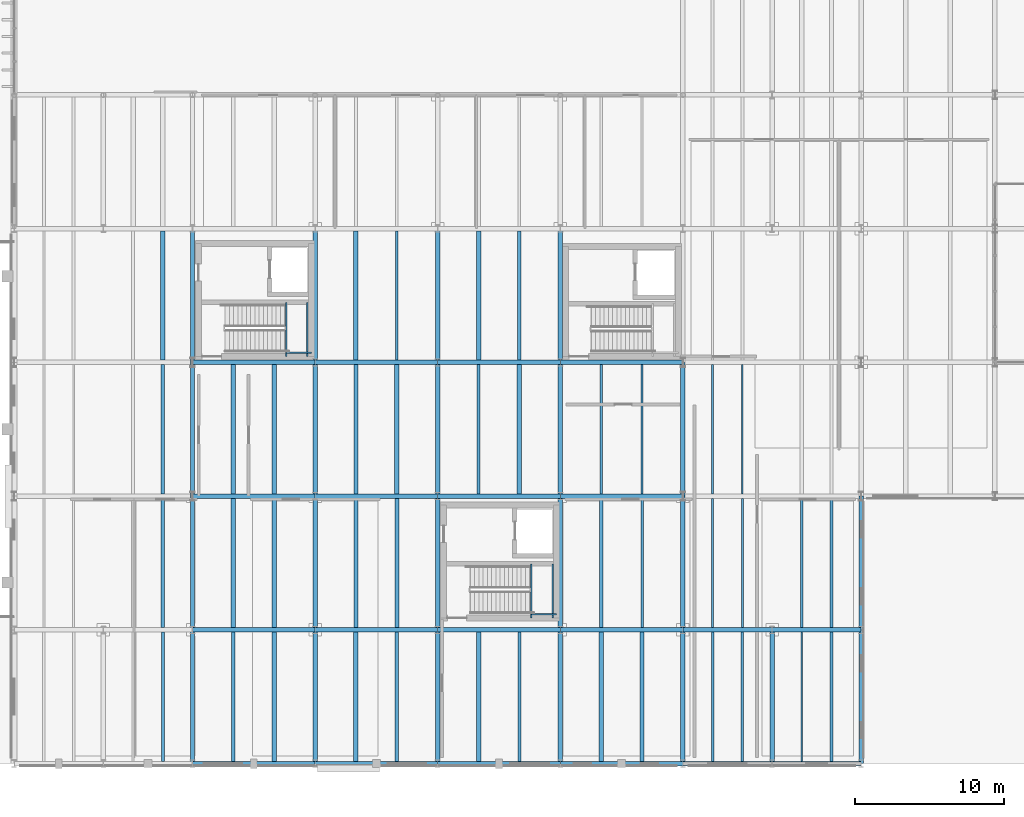
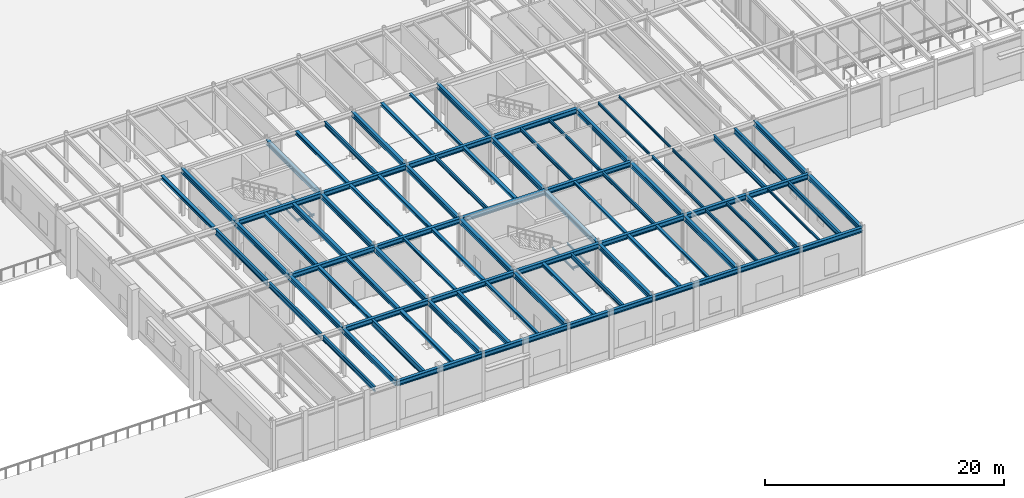
# One storey, part 19 of 64: 88 beams.
"""IFC4 building model written with IfcOpenShell, lengths in metres."""

from ifc_helpers import new_model, si_unit, direction, frame, origin, origin_2d, place, context, subcontext, project, spatial, i_section, extrude, material, material_profile, profile_set, type_object, element, save


model = new_model("IFC4")

# Units and contexts
model_context = context("Model", 3, precision=1e-05, world=origin(), true_north=direction((0.0, 1.0)))
body_context = subcontext(model_context, "Body", "Model", "MODEL_VIEW")
ifc_project = project(units=[si_unit("LENGTHUNIT", "METRE"), si_unit("AREAUNIT", "SQUARE_METRE"), si_unit("VOLUMEUNIT", "CUBIC_METRE"), si_unit("PLANEANGLEUNIT", "RADIAN"), si_unit("MASSUNIT", "GRAM", prefix="KILO")], contexts=[model_context])

# Site, building, storey
site_placement = place(None, origin())
site = spatial("IfcSite", under=ifc_project, at=site_placement, CompositionType="ELEMENT")
building_placement = place(site_placement, origin())
building = spatial("IfcBuilding", under=site, at=building_placement, Name="Montealbar Specialist Clinic", CompositionType="ELEMENT")
storey_placement = place(building_placement, origin())
storey = spatial("IfcBuildingStorey", under=building, at=storey_placement, Name="L00", CompositionType="ELEMENT", Elevation=0.0)

# Beams
ifc_material = material(Name="Steel S355", Category="steel")
ifc_material_profile_1 = material_profile(ifc_material, i_section(OverallWidth=0.300048828125, OverallDepth=0.5, WebThickness=0.014404296875, FlangeThickness=0.028076171875, FilletRadius=0.027099609375, at=origin_2d()), Name="HEB 500", Category="steel")
ifc_profile_set_1 = profile_set([ifc_material_profile_1], Name="Steel S355")
beam_type_1 = type_object("IfcBeamType", Name="BM-GIRD-HEB500", PredefinedType="BEAM", material=ifc_profile_set_1)
for number, where, z_axis, x_axis, name in (
    (1, (66.0, 9.0, 4.56005859375), (1.0, 0.0, 0.0), (0.0, 1.0, 0.0), "Beam GX-L00-660-742-90"),
    (2, (74.25, 9.0, 4.56005859375), (1.0, 0.0, 0.0), (0.0, 1.0, 0.0), "Beam GX-L00-742-825-90"),
    (3, (82.5, 9.0, 4.56005859375), (1.0, 0.0, 0.0), (0.0, 1.0, 0.0), "Beam GX-L00-825-908-90"),
    (4, (90.75, 9.0, 4.56005859375), (1.0, 0.0, 0.0), (0.0, 1.0, 0.0), "Beam GX-L00-908-990-90"),
):
    element("IfcBeam", number, at=place(storey_placement, frame(where, z_axis=z_axis, x_axis=x_axis)), inside=storey, type_object=beam_type_1, Name=name, PredefinedType="BEAM", context=body_context, shape_type="SweptSolid", body=[
        extrude(i_section(OverallWidth=0.300048828125, OverallDepth=0.5, WebThickness=0.014404296875, FlangeThickness=0.028076171875, FilletRadius=0.027099609375, at=origin_2d()), origin(), (0.0, 0.0, 1.0), 8.25),
    ])
for number, where, z_axis, x_axis, name in (
    (5, (99.0, 9.0, 4.56005859375), (1.0, 0.0, 0.0), (0.0, 1.0, 0.0), "Beam GX-L00-990-1050-90"),
    (6, (105.0, 9.0, 4.56005859375), (1.0, 0.0, 0.0), (0.0, 1.0, 0.0), "Beam GX-L00-1050-1110-90"),
):
    element("IfcBeam", number, at=place(storey_placement, frame(where, z_axis=z_axis, x_axis=x_axis)), inside=storey, type_object=beam_type_1, Name=name, PredefinedType="BEAM", context=body_context, shape_type="SweptSolid", body=[
        extrude(i_section(OverallWidth=0.300048828125, OverallDepth=0.5, WebThickness=0.014404296875, FlangeThickness=0.028076171875, FilletRadius=0.027099609375, at=origin_2d()), origin(), (0.0, 0.0, 1.0), 6.0),
    ])
for number, where, z_axis, x_axis, name in (
    (7, (66.0, 18.0, 4.56005859375), (1.0, 0.0, 0.0), (0.0, 1.0, 0.0), "Beam GX-L00-660-742-180"),
    (8, (74.25, 18.0, 4.56005859375), (1.0, 0.0, 0.0), (0.0, 1.0, 0.0), "Beam GX-L00-742-825-180"),
    (9, (82.5, 18.0, 4.56005859375), (1.0, 0.0, 0.0), (0.0, 1.0, 0.0), "Beam GX-L00-825-908-180"),
    (10, (90.75, 18.0, 4.56005859375), (1.0, 0.0, 0.0), (0.0, 1.0, 0.0), "Beam GX-L00-908-990-180"),
    (11, (66.0, 27.0, 4.56005859375), (1.0, 0.0, 0.0), (0.0, 1.0, 0.0), "Beam GX-L00-660-742-270"),
    (12, (74.25, 27.0, 4.56005859375), (1.0, 0.0, 0.0), (0.0, 1.0, 0.0), "Beam GX-L00-742-825-270"),
    (13, (82.5, 27.0, 4.56005859375), (1.0, 0.0, 0.0), (0.0, 1.0, 0.0), "Beam GX-L00-825-908-270"),
    (14, (90.75, 27.0, 4.56005859375), (1.0, 0.0, 0.0), (0.0, 1.0, 0.0), "Beam GX-L00-908-990-270"),
):
    element("IfcBeam", number, at=place(storey_placement, frame(where, z_axis=z_axis, x_axis=x_axis)), inside=storey, type_object=beam_type_1, Name=name, PredefinedType="BEAM", context=body_context, shape_type="SweptSolid", body=[
        extrude(i_section(OverallWidth=0.300048828125, OverallDepth=0.5, WebThickness=0.014404296875, FlangeThickness=0.028076171875, FilletRadius=0.027099609375, at=origin_2d()), origin(), (0.0, 0.0, 1.0), 8.25),
    ])
for number, where, z_axis, x_axis, name in (
    (15, (66.0, 0.0, 4.56005859375), (0.0, 1.0, 0.0), (-1.0, 0.0, 0.0), "Beam GY-L00-660-0-90"),
    (16, (66.0, 9.0, 4.56005859375), (0.0, 1.0, 0.0), (-1.0, 0.0, 0.0), "Beam GY-L00-660-90-180"),
    (17, (66.0, 18.0, 4.56005859375), (0.0, 1.0, 0.0), (-1.0, 0.0, 0.0), "Beam GY-L00-660-180-270"),
    (18, (66.0, 27.0, 4.56005859375), (0.0, 1.0, 0.0), (-1.0, 0.0, 0.0), "Beam GY-L00-660-270-360"),
    (19, (74.25, 0.0, 4.56005859375), (0.0, 1.0, 0.0), (-1.0, 0.0, 0.0), "Beam GY-L00-742-0-90"),
    (20, (74.25, 9.0, 4.56005859375), (0.0, 1.0, 0.0), (-1.0, 0.0, 0.0), "Beam GY-L00-742-90-180"),
    (21, (74.25, 18.0, 4.56005859375), (0.0, 1.0, 0.0), (-1.0, 0.0, 0.0), "Beam GY-L00-742-180-270"),
    (22, (74.25, 27.0, 4.56005859375), (0.0, 1.0, 0.0), (-1.0, 0.0, 0.0), "Beam GY-L00-742-270-360"),
    (23, (82.5, 0.0, 4.56005859375), (0.0, 1.0, 0.0), (-1.0, 0.0, 0.0), "Beam GY-L00-825-0-90"),
    (24, (82.5, 9.0, 4.56005859375), (0.0, 1.0, 0.0), (-1.0, 0.0, 0.0), "Beam GY-L00-825-90-180"),
    (25, (82.5, 18.0, 4.56005859375), (0.0, 1.0, 0.0), (-1.0, 0.0, 0.0), "Beam GY-L00-825-180-270"),
    (26, (82.5, 27.0, 4.56005859375), (0.0, 1.0, 0.0), (-1.0, 0.0, 0.0), "Beam GY-L00-825-270-360"),
    (27, (90.75, 0.0, 4.56005859375), (0.0, 1.0, 0.0), (-1.0, 0.0, 0.0), "Beam GY-L00-908-0-90"),
    (28, (90.75, 9.0, 4.56005859375), (0.0, 1.0, 0.0), (-1.0, 0.0, 0.0), "Beam GY-L00-908-90-180"),
    (29, (90.75, 18.0, 4.56005859375), (0.0, 1.0, 0.0), (-1.0, 0.0, 0.0), "Beam GY-L00-908-180-270"),
    (30, (90.75, 27.0, 4.56005859375), (0.0, 1.0, 0.0), (-1.0, 0.0, 0.0), "Beam GY-L00-908-270-360"),
    (31, (99.0, 0.0, 4.56005859375), (0.0, 1.0, 0.0), (-1.0, 0.0, 0.0), "Beam GY-L00-990-0-90"),
    (32, (99.0, 9.0, 4.56005859375), (0.0, 1.0, 0.0), (-1.0, 0.0, 0.0), "Beam GY-L00-990-90-180"),
    (33, (99.0, 18.0, 4.56005859375), (0.0, 1.0, 0.0), (-1.0, 0.0, 0.0), "Beam GY-L00-990-180-270"),
    (34, (105.0, 0.0, 4.56005859375), (0.0, 1.0, 0.0), (-1.0, 0.0, 0.0), "Beam GY-L00-1050-0-90"),
):
    element("IfcBeam", number, at=place(storey_placement, frame(where, z_axis=z_axis, x_axis=x_axis)), inside=storey, type_object=beam_type_1, Name=name, PredefinedType="BEAM", context=body_context, shape_type="SweptSolid", body=[
        extrude(i_section(OverallWidth=0.300048828125, OverallDepth=0.5, WebThickness=0.014404296875, FlangeThickness=0.028076171875, FilletRadius=0.027099609375, at=origin_2d()), origin(), (0.0, 0.0, 1.0), 9.0),
    ])
ifc_material_profile_2 = material_profile(ifc_material, i_section(OverallWidth=0.300048828125, OverallDepth=0.5, WebThickness=0.014404296875, FlangeThickness=0.028076171875, FilletRadius=0.027099609375, at=origin_2d()), Name="HEB 500", Category="steel")
ifc_profile_set_2 = profile_set([ifc_material_profile_2], Name="Steel S355")
beam_type_2 = type_object("IfcBeamType", Name="BM-GIRD-HEB500-EXT", PredefinedType="BEAM", material=ifc_profile_set_2)
for number, where, z_axis, x_axis, name in (
    (35, (66.0, 0.0, 4.56005859375), (1.0, 0.0, 0.0), (0.0, 1.0, 0.0), "Beam GX-L00-660-742-0"),
    (36, (74.25, 0.0, 4.56005859375), (1.0, 0.0, 0.0), (0.0, 1.0, 0.0), "Beam GX-L00-742-825-0"),
    (37, (82.5, 0.0, 4.56005859375), (1.0, 0.0, 0.0), (0.0, 1.0, 0.0), "Beam GX-L00-825-908-0"),
    (38, (90.75, 0.0, 4.56005859375), (1.0, 0.0, 0.0), (0.0, 1.0, 0.0), "Beam GX-L00-908-990-0"),
):
    element("IfcBeam", number, at=place(storey_placement, frame(where, z_axis=z_axis, x_axis=x_axis)), inside=storey, type_object=beam_type_2, Name=name, PredefinedType="BEAM", context=body_context, shape_type="SweptSolid", body=[
        extrude(i_section(OverallWidth=0.300048828125, OverallDepth=0.5, WebThickness=0.014404296875, FlangeThickness=0.028076171875, FilletRadius=0.027099609375, at=origin_2d()), origin(), (0.0, 0.0, 1.0), 8.25),
    ])
for number, where, z_axis, x_axis, name in (
    (39, (99.0, 0.0, 4.56005859375), (1.0, 0.0, 0.0), (0.0, 1.0, 0.0), "Beam GX-L00-990-1050-0"),
    (40, (105.0, 0.0, 4.56005859375), (1.0, 0.0, 0.0), (0.0, 1.0, 0.0), "Beam GX-L00-1050-1110-0"),
):
    element("IfcBeam", number, at=place(storey_placement, frame(where, z_axis=z_axis, x_axis=x_axis)), inside=storey, type_object=beam_type_2, Name=name, PredefinedType="BEAM", context=body_context, shape_type="SweptSolid", body=[
        extrude(i_section(OverallWidth=0.300048828125, OverallDepth=0.5, WebThickness=0.014404296875, FlangeThickness=0.028076171875, FilletRadius=0.027099609375, at=origin_2d()), origin(), (0.0, 0.0, 1.0), 6.0),
    ])
for number, where, z_axis, x_axis, name in (
    (41, (111.0, 0.0, 4.56005859375), (0.0, 1.0, 0.0), (-1.0, 0.0, 0.0), "Beam GY-L00-1110-0-90"),
    (42, (111.0, 9.0, 4.56005859375), (0.0, 1.0, 0.0), (-1.0, 0.0, 0.0), "Beam GY-L00-1110-90-180"),
):
    element("IfcBeam", number, at=place(storey_placement, frame(where, z_axis=z_axis, x_axis=x_axis)), inside=storey, type_object=beam_type_2, Name=name, PredefinedType="BEAM", context=body_context, shape_type="SweptSolid", body=[
        extrude(i_section(OverallWidth=0.300048828125, OverallDepth=0.5, WebThickness=0.014404296875, FlangeThickness=0.028076171875, FilletRadius=0.027099609375, at=origin_2d()), origin(), (0.0, 0.0, 1.0), 9.0),
    ])
ifc_material_profile_3 = material_profile(ifc_material, i_section(OverallWidth=0.300048828125, OverallDepth=0.35009765625, WebThickness=0.010009765625, FlangeThickness=0.017578125, FilletRadius=0.027099609375, at=origin_2d()), Name="HEA 360", Category="steel")
ifc_profile_set_3 = profile_set([ifc_material_profile_3], Name="Steel S355")
beam_type_3 = type_object("IfcBeamType", Name="BM-JST-HEA360", PredefinedType="JOIST", material=ifc_profile_set_3)
for number, where, z_axis, x_axis, name in (
    (43, (64.0, 27.14990234375, 4.635009765625), (0.0, 1.0, 0.0), (-1.0, 0.0, 0.0), "Beam JST-L00-640-272-358"),
    (44, (71.5, 0.14990234375, 4.635009765625), (0.0, 1.0, 0.0), (-1.0, 0.0, 0.0), "Beam JST-L00-715-2-88"),
    (45, (68.75, 9.14990234375, 4.635009765625), (0.0, 1.0, 0.0), (-1.0, 0.0, 0.0), "Beam JST-L00-688-92-178"),
):
    element("IfcBeam", number, at=place(storey_placement, frame(where, z_axis=z_axis, x_axis=x_axis)), inside=storey, type_object=beam_type_3, Name=name, PredefinedType="JOIST", context=body_context, shape_type="SweptSolid", body=[
        extrude(i_section(OverallWidth=0.300048828125, OverallDepth=0.35009765625, WebThickness=0.010009765625, FlangeThickness=0.017578125, FilletRadius=0.027099609375, at=origin_2d()), origin(), (0.0, 0.0, 1.0), 8.7001953125),
    ])
ifc_material_profile_4 = material_profile(ifc_material, i_section(OverallWidth=0.300048828125, OverallDepth=0.43994140625, WebThickness=0.011474609375, FlangeThickness=0.02099609375, FilletRadius=0.027099609375, at=origin_2d()), Name="HEA 450", Category="steel")
ifc_profile_set_4 = profile_set([ifc_material_profile_4], Name="Steel S355")
beam_type_4 = type_object("IfcBeamType", Name="BM-JST-HEA450", PredefinedType="JOIST", material=ifc_profile_set_4)
for number, where, z_axis, x_axis, name in (
    (46, (71.5, 9.14990234375, 4.590087890625), (0.0, 1.0, 0.0), (-1.0, 0.0, 0.0), "Beam JST-L00-715-92-178"),
    (47, (68.75, 18.14990234375, 4.590087890625), (0.0, 1.0, 0.0), (-1.0, 0.0, 0.0), "Beam JST-L00-688-182-268"),
):
    element("IfcBeam", number, at=place(storey_placement, frame(where, z_axis=z_axis, x_axis=x_axis)), inside=storey, type_object=beam_type_4, Name=name, PredefinedType="JOIST", context=body_context, shape_type="SweptSolid", body=[
        extrude(i_section(OverallWidth=0.300048828125, OverallDepth=0.43994140625, WebThickness=0.011474609375, FlangeThickness=0.02099609375, FilletRadius=0.027099609375, at=origin_2d()), origin(), (0.0, 0.0, 1.0), 8.7001953125),
    ])
ifc_material_profile_5 = material_profile(ifc_material, i_section(OverallWidth=0.300048828125, OverallDepth=0.489990234375, WebThickness=0.011962890625, FlangeThickness=0.02294921875, FilletRadius=0.027099609375, at=origin_2d()), Name="HEA 500", Category="steel")
ifc_profile_set_5 = profile_set([ifc_material_profile_5], Name="Steel S355")
beam_type_5 = type_object("IfcBeamType", Name="BM-JST-HEA500", PredefinedType="JOIST", material=ifc_profile_set_5)
for number, where, z_axis, x_axis, name in (
    (48, (71.5, 18.14990234375, 4.56494140625), (0.0, 1.0, 0.0), (-1.0, 0.0, 0.0), "Beam JST-L00-715-182-268"),
    (49, (77.0, 0.14990234375, 4.56494140625), (0.0, 1.0, 0.0), (-1.0, 0.0, 0.0), "Beam JST-L00-770-2-88"),
):
    element("IfcBeam", number, at=place(storey_placement, frame(where, z_axis=z_axis, x_axis=x_axis)), inside=storey, type_object=beam_type_5, Name=name, PredefinedType="JOIST", context=body_context, shape_type="SweptSolid", body=[
        extrude(i_section(OverallWidth=0.300048828125, OverallDepth=0.489990234375, WebThickness=0.011962890625, FlangeThickness=0.02294921875, FilletRadius=0.027099609375, at=origin_2d()), origin(), (0.0, 0.0, 1.0), 8.7001953125),
    ])
ifc_material_profile_6 = material_profile(ifc_material, i_section(OverallWidth=0.239990234375, OverallDepth=0.239990234375, WebThickness=0.010009765625, FlangeThickness=0.01708984375, FilletRadius=0.02099609375, at=origin_2d()), Name="HEB 240", Category="steel")
ifc_profile_set_6 = profile_set([ifc_material_profile_6], Name="Steel S355")
beam_type_6 = type_object("IfcBeamType", Name="BM-JST-HEB240", PredefinedType="JOIST", material=ifc_profile_set_6)
for number, where, z_axis, x_axis, name in (
    (50, (79.75, 0.14990234375, 4.68994140625), (0.0, 1.0, 0.0), (-1.0, 0.0, 0.0), "Beam JST-L00-798-2-88"),
    (51, (77.0, 9.14990234375, 4.68994140625), (0.0, 1.0, 0.0), (-1.0, 0.0, 0.0), "Beam JST-L00-770-92-178"),
):
    element("IfcBeam", number, at=place(storey_placement, frame(where, z_axis=z_axis, x_axis=x_axis)), inside=storey, type_object=beam_type_6, Name=name, PredefinedType="JOIST", context=body_context, shape_type="SweptSolid", body=[
        extrude(i_section(OverallWidth=0.239990234375, OverallDepth=0.239990234375, WebThickness=0.010009765625, FlangeThickness=0.01708984375, FilletRadius=0.02099609375, at=origin_2d()), origin(), (0.0, 0.0, 1.0), 8.7001953125),
    ])
ifc_material_profile_7 = material_profile(ifc_material, i_section(OverallWidth=0.280029296875, OverallDepth=0.280029296875, WebThickness=0.010498046875, FlangeThickness=0.01806640625, FilletRadius=0.02392578125, at=origin_2d()), Name="HEB 280", Category="steel")
ifc_profile_set_7 = profile_set([ifc_material_profile_7], Name="Steel S355")
beam_type_7 = type_object("IfcBeamType", Name="BM-JST-HEB280", PredefinedType="JOIST", material=ifc_profile_set_7)
for number, where, z_axis, x_axis, name in (
    (52, (79.75, 9.14990234375, 4.669921875), (0.0, 1.0, 0.0), (-1.0, 0.0, 0.0), "Beam JST-L00-798-92-178"),
    (53, (77.0, 18.14990234375, 4.669921875), (0.0, 1.0, 0.0), (-1.0, 0.0, 0.0), "Beam JST-L00-770-182-268"),
):
    element("IfcBeam", number, at=place(storey_placement, frame(where, z_axis=z_axis, x_axis=x_axis)), inside=storey, type_object=beam_type_7, Name=name, PredefinedType="JOIST", context=body_context, shape_type="SweptSolid", body=[
        extrude(i_section(OverallWidth=0.280029296875, OverallDepth=0.280029296875, WebThickness=0.010498046875, FlangeThickness=0.01806640625, FilletRadius=0.02392578125, at=origin_2d()), origin(), (0.0, 0.0, 1.0), 8.7001953125),
    ])
ifc_material_profile_8 = material_profile(ifc_material, i_section(OverallWidth=0.300048828125, OverallDepth=0.320068359375, WebThickness=0.011474609375, FlangeThickness=0.0205078125, FilletRadius=0.027099609375, at=origin_2d()), Name="HEB 320", Category="steel")
ifc_profile_set_8 = profile_set([ifc_material_profile_8], Name="Steel S355")
beam_type_8 = type_object("IfcBeamType", Name="BM-JST-HEB320", PredefinedType="JOIST", material=ifc_profile_set_8)
for number, where, z_axis, x_axis, name in (
    (54, (79.75, 18.14990234375, 4.64990234375), (0.0, 1.0, 0.0), (-1.0, 0.0, 0.0), "Beam JST-L00-798-182-268"),
    (55, (77.0, 27.14990234375, 4.64990234375), (0.0, 1.0, 0.0), (-1.0, 0.0, 0.0), "Beam JST-L00-770-272-358"),
    (56, (85.25, 0.14990234375, 4.64990234375), (0.0, 1.0, 0.0), (-1.0, 0.0, 0.0), "Beam JST-L00-852-2-88"),
):
    element("IfcBeam", number, at=place(storey_placement, frame(where, z_axis=z_axis, x_axis=x_axis)), inside=storey, type_object=beam_type_8, Name=name, PredefinedType="JOIST", context=body_context, shape_type="SweptSolid", body=[
        extrude(i_section(OverallWidth=0.300048828125, OverallDepth=0.320068359375, WebThickness=0.011474609375, FlangeThickness=0.0205078125, FilletRadius=0.027099609375, at=origin_2d()), origin(), (0.0, 0.0, 1.0), 8.7001953125),
    ])
ifc_material_profile_9 = material_profile(ifc_material, i_section(OverallWidth=0.1201171875, OverallDepth=0.239990234375, WebThickness=0.006103515625, FlangeThickness=0.009765625, FilletRadius=0.014892578125, at=origin_2d()), Name="IPE 240", Category="steel")
ifc_profile_set_9 = profile_set([ifc_material_profile_9], Name="Steel S355")
beam_type_9 = type_object("IfcBeamType", Name="BM-JST-IPE240", PredefinedType="JOIST", material=ifc_profile_set_9)
for number, where, z_axis, x_axis, name in (
    (57, (103.0, 18.14990234375, 4.68994140625), (0.0, 1.0, 0.0), (-1.0, 0.0, 0.0), "Beam JST-L00-1030-182-268"),
    (58, (107.0, 0.14990234375, 4.68994140625), (0.0, 1.0, 0.0), (-1.0, 0.0, 0.0), "Beam JST-L00-1070-2-88"),
):
    element("IfcBeam", number, at=place(storey_placement, frame(where, z_axis=z_axis, x_axis=x_axis)), inside=storey, type_object=beam_type_9, Name=name, PredefinedType="JOIST", context=body_context, shape_type="SweptSolid", body=[
        extrude(i_section(OverallWidth=0.1201171875, OverallDepth=0.239990234375, WebThickness=0.006103515625, FlangeThickness=0.009765625, FilletRadius=0.014892578125, at=origin_2d()), origin(), (0.0, 0.0, 1.0), 8.7001953125),
    ])
ifc_material_profile_10 = material_profile(ifc_material, i_section(OverallWidth=0.135009765625, OverallDepth=0.27001953125, WebThickness=0.006591796875, FlangeThickness=0.01025390625, FilletRadius=0.014892578125, at=origin_2d()), Name="IPE 270", Category="steel")
ifc_profile_set_10 = profile_set([ifc_material_profile_10], Name="Steel S355")
beam_type_10 = type_object("IfcBeamType", Name="BM-JST-IPE270", PredefinedType="JOIST", material=ifc_profile_set_10)
for number, where, z_axis, x_axis, name in (
    (59, (103.0, 9.14990234375, 4.675048828125), (0.0, 1.0, 0.0), (-1.0, 0.0, 0.0), "Beam JST-L00-1030-92-178"),
    (60, (101.0, 18.14990234375, 4.675048828125), (0.0, 1.0, 0.0), (-1.0, 0.0, 0.0), "Beam JST-L00-1010-182-268"),
):
    element("IfcBeam", number, at=place(storey_placement, frame(where, z_axis=z_axis, x_axis=x_axis)), inside=storey, type_object=beam_type_10, Name=name, PredefinedType="JOIST", context=body_context, shape_type="SweptSolid", body=[
        extrude(i_section(OverallWidth=0.135009765625, OverallDepth=0.27001953125, WebThickness=0.006591796875, FlangeThickness=0.01025390625, FilletRadius=0.014892578125, at=origin_2d()), origin(), (0.0, 0.0, 1.0), 8.7001953125),
    ])
ifc_material_profile_11 = material_profile(ifc_material, i_section(OverallWidth=0.14990234375, OverallDepth=0.300048828125, WebThickness=0.007080078125, FlangeThickness=0.0107421875, FilletRadius=0.014892578125, at=origin_2d()), Name="IPE 300", Category="steel")
ifc_profile_set_11 = profile_set([ifc_material_profile_11], Name="Steel S355")
beam_type_11 = type_object("IfcBeamType", Name="BM-JST-IPE300", PredefinedType="JOIST", material=ifc_profile_set_11)
for number, where, z_axis, x_axis, name in (
    (61, (103.0, 0.14990234375, 4.659912109375), (0.0, 1.0, 0.0), (-1.0, 0.0, 0.0), "Beam JST-L00-1030-2-88"),
    (62, (101.0, 9.14990234375, 4.659912109375), (0.0, 1.0, 0.0), (-1.0, 0.0, 0.0), "Beam JST-L00-1010-92-178"),
):
    element("IfcBeam", number, at=place(storey_placement, frame(where, z_axis=z_axis, x_axis=x_axis)), inside=storey, type_object=beam_type_11, Name=name, PredefinedType="JOIST", context=body_context, shape_type="SweptSolid", body=[
        extrude(i_section(OverallWidth=0.14990234375, OverallDepth=0.300048828125, WebThickness=0.007080078125, FlangeThickness=0.0107421875, FilletRadius=0.014892578125, at=origin_2d()), origin(), (0.0, 0.0, 1.0), 8.7001953125),
    ])
ifc_material_profile_12 = material_profile(ifc_material, i_section(OverallWidth=0.159912109375, OverallDepth=0.330078125, WebThickness=0.007568359375, FlangeThickness=0.011474609375, FilletRadius=0.01806640625, at=origin_2d()), Name="IPE 330", Category="steel")
ifc_profile_set_12 = profile_set([ifc_material_profile_12], Name="Steel S355")
beam_type_12 = type_object("IfcBeamType", Name="BM-JST-IPE330", PredefinedType="JOIST", material=ifc_profile_set_12)
for number, where, z_axis, x_axis, name in (
    (63, (96.25, 18.14990234375, 4.64501953125), (0.0, 1.0, 0.0), (-1.0, 0.0, 0.0), "Beam JST-L00-962-182-268"),
    (64, (101.0, 0.14990234375, 4.64501953125), (0.0, 1.0, 0.0), (-1.0, 0.0, 0.0), "Beam JST-L00-1010-2-88"),
):
    element("IfcBeam", number, at=place(storey_placement, frame(where, z_axis=z_axis, x_axis=x_axis)), inside=storey, type_object=beam_type_12, Name=name, PredefinedType="JOIST", context=body_context, shape_type="SweptSolid", body=[
        extrude(i_section(OverallWidth=0.159912109375, OverallDepth=0.330078125, WebThickness=0.007568359375, FlangeThickness=0.011474609375, FilletRadius=0.01806640625, at=origin_2d()), origin(), (0.0, 0.0, 1.0), 8.7001953125),
    ])
ifc_material_profile_13 = material_profile(ifc_material, i_section(OverallWidth=0.169921875, OverallDepth=0.360107421875, WebThickness=0.008056640625, FlangeThickness=0.0126953125, FilletRadius=0.01806640625, at=origin_2d()), Name="IPE 360", Category="steel")
ifc_profile_set_13 = profile_set([ifc_material_profile_13], Name="Steel S355")
beam_type_13 = type_object("IfcBeamType", Name="BM-JST-IPE360", PredefinedType="JOIST", material=ifc_profile_set_13)
for number, where, z_axis, x_axis, name in (
    (65, (96.25, 9.14990234375, 4.6298828125), (0.0, 1.0, 0.0), (-1.0, 0.0, 0.0), "Beam JST-L00-962-92-178"),
    (66, (93.5, 18.14990234375, 4.6298828125), (0.0, 1.0, 0.0), (-1.0, 0.0, 0.0), "Beam JST-L00-935-182-268"),
):
    element("IfcBeam", number, at=place(storey_placement, frame(where, z_axis=z_axis, x_axis=x_axis)), inside=storey, type_object=beam_type_13, Name=name, PredefinedType="JOIST", context=body_context, shape_type="SweptSolid", body=[
        extrude(i_section(OverallWidth=0.169921875, OverallDepth=0.360107421875, WebThickness=0.008056640625, FlangeThickness=0.0126953125, FilletRadius=0.01806640625, at=origin_2d()), origin(), (0.0, 0.0, 1.0), 8.7001953125),
    ])
ifc_material_profile_14 = material_profile(ifc_material, i_section(OverallWidth=0.199951171875, OverallDepth=0.5, WebThickness=0.01025390625, FlangeThickness=0.01611328125, FilletRadius=0.02099609375, at=origin_2d()), Name="IPE 500", Category="steel")
ifc_profile_set_14 = profile_set([ifc_material_profile_14], Name="Steel S355")
beam_type_14 = type_object("IfcBeamType", Name="BM-JST-IPE500", PredefinedType="JOIST", material=ifc_profile_set_14)
for number, where, z_axis, x_axis, name in (
    (67, (64.0, 0.14990234375, 4.56005859375), (0.0, 1.0, 0.0), (-1.0, 0.0, 0.0), "Beam JST-L00-640-2-88"),
    (68, (109.0, 0.14990234375, 4.56005859375), (0.0, 1.0, 0.0), (-1.0, 0.0, 0.0), "Beam JST-L00-1090-2-88"),
    (69, (107.0, 9.14990234375, 4.56005859375), (0.0, 1.0, 0.0), (-1.0, 0.0, 0.0), "Beam JST-L00-1070-92-178"),
):
    element("IfcBeam", number, at=place(storey_placement, frame(where, z_axis=z_axis, x_axis=x_axis)), inside=storey, type_object=beam_type_14, Name=name, PredefinedType="JOIST", context=body_context, shape_type="SweptSolid", body=[
        extrude(i_section(OverallWidth=0.199951171875, OverallDepth=0.5, WebThickness=0.01025390625, FlangeThickness=0.01611328125, FilletRadius=0.02099609375, at=origin_2d()), origin(), (0.0, 0.0, 1.0), 8.7001953125),
    ])
ifc_material_profile_15 = material_profile(ifc_material, i_section(OverallWidth=0.2099609375, OverallDepth=0.550048828125, WebThickness=0.010986328125, FlangeThickness=0.01708984375, FilletRadius=0.02392578125, at=origin_2d()), Name="IPE 550", Category="steel")
ifc_profile_set_15 = profile_set([ifc_material_profile_15], Name="Steel S355")
beam_type_15 = type_object("IfcBeamType", Name="BM-JST-IPE550", PredefinedType="JOIST", material=ifc_profile_set_15)
for number, where, z_axis, x_axis, name in (
    (70, (64.0, 9.14990234375, 4.534912109375), (0.0, 1.0, 0.0), (-1.0, 0.0, 0.0), "Beam JST-L00-640-92-178"),
    (71, (109.0, 9.14990234375, 4.534912109375), (0.0, 1.0, 0.0), (-1.0, 0.0, 0.0), "Beam JST-L00-1090-92-178"),
):
    element("IfcBeam", number, at=place(storey_placement, frame(where, z_axis=z_axis, x_axis=x_axis)), inside=storey, type_object=beam_type_15, Name=name, PredefinedType="JOIST", context=body_context, shape_type="SweptSolid", body=[
        extrude(i_section(OverallWidth=0.2099609375, OverallDepth=0.550048828125, WebThickness=0.010986328125, FlangeThickness=0.01708984375, FilletRadius=0.02392578125, at=origin_2d()), origin(), (0.0, 0.0, 1.0), 8.7001953125),
    ])
ifc_material_profile_16 = material_profile(ifc_material, i_section(OverallWidth=0.219970703125, OverallDepth=0.60009765625, WebThickness=0.011962890625, FlangeThickness=0.01904296875, FilletRadius=0.02392578125, at=origin_2d()), Name="IPE 600", Category="steel")
ifc_profile_set_16 = profile_set([ifc_material_profile_16], Name="Steel S355")
beam_type_16 = type_object("IfcBeamType", Name="BM-JST-IPE600", PredefinedType="JOIST", material=ifc_profile_set_16)
for number, where, z_axis, x_axis, name in (
    (72, (64.0, 18.14990234375, 4.510009765625), (0.0, 1.0, 0.0), (-1.0, 0.0, 0.0), "Beam JST-L00-640-182-268"),
    (73, (68.75, 0.14990234375, 4.510009765625), (0.0, 1.0, 0.0), (-1.0, 0.0, 0.0), "Beam JST-L00-688-2-88"),
):
    element("IfcBeam", number, at=place(storey_placement, frame(where, z_axis=z_axis, x_axis=x_axis)), inside=storey, type_object=beam_type_16, Name=name, PredefinedType="JOIST", context=body_context, shape_type="SweptSolid", body=[
        extrude(i_section(OverallWidth=0.219970703125, OverallDepth=0.60009765625, WebThickness=0.011962890625, FlangeThickness=0.01904296875, FilletRadius=0.02392578125, at=origin_2d()), origin(), (0.0, 0.0, 1.0), 8.7001953125),
    ])
ifc_material_profile_17 = material_profile(ifc_material, i_section(OverallWidth=0.10009765625, OverallDepth=0.199951171875, WebThickness=0.005615234375, FlangeThickness=0.008544921875, FilletRadius=0.011962890625, at=origin_2d()), Name="IPE 200", Category="steel")
ifc_profile_set_17 = profile_set([ifc_material_profile_17], Name="Steel S355")
beam_type_17 = type_object("IfcBeamType", Name="BM-LINT-IPE200", PredefinedType="LINTEL", material=ifc_profile_set_17)
for number, where, z_axis, x_axis, name in (
    (74, (72.31005859375, 27.39990234375, 2.25), (0.0, 1.0, 0.0), (-1.0, 0.0, 0.0), "Core C3 Stair Landing Beam L00 W"),
    (75, (73.72998046875, 27.39990234375, 2.25), (0.0, 1.0, 0.0), (-1.0, 0.0, 0.0), "Core C3 Stair Landing Beam L00 E"),
):
    element("IfcBeam", number, at=place(storey_placement, frame(where, z_axis=z_axis, x_axis=x_axis)), inside=storey, type_object=beam_type_17, Name=name, PredefinedType="LINTEL", context=body_context, shape_type="SweptSolid", body=[
        extrude(i_section(OverallWidth=0.10009765625, OverallDepth=0.199951171875, WebThickness=0.005615234375, FlangeThickness=0.008544921875, FilletRadius=0.011962890625, at=origin_2d()), origin(), (0.0, 0.0, 1.0), 3.650146484375),
    ])
beam_1_placement = place(storey_placement, frame((72.31005859375, 27.64990234375, 2.25), z_axis=(1.0, 0.0, 0.0), x_axis=(0.0, 1.0, 0.0)))
element("IfcBeam", 76, at=beam_1_placement, inside=storey, type_object=beam_type_17, Name="Core C3 Stair Landing Tie Beam L00", PredefinedType="LINTEL", context=body_context, shape_type="SweptSolid", body=[
    extrude(i_section(OverallWidth=0.10009765625, OverallDepth=0.199951171875, WebThickness=0.005615234375, FlangeThickness=0.008544921875, FilletRadius=0.011962890625, at=origin_2d()), origin(), (0.0, 0.0, 1.0), 1.68994140625),
])
for number, where, z_axis, x_axis, name in (
    (77, (88.81005859375, 9.800048828125, 2.25), (0.0, 1.0, 0.0), (-1.0, 0.0, 0.0), "Core C4 Stair Landing Beam L00 W"),
    (78, (90.22998046875, 9.800048828125, 2.25), (0.0, 1.0, 0.0), (-1.0, 0.0, 0.0), "Core C4 Stair Landing Beam L00 E"),
):
    element("IfcBeam", number, at=place(storey_placement, frame(where, z_axis=z_axis, x_axis=x_axis)), inside=storey, type_object=beam_type_17, Name=name, PredefinedType="LINTEL", context=body_context, shape_type="SweptSolid", body=[
        extrude(i_section(OverallWidth=0.10009765625, OverallDepth=0.199951171875, WebThickness=0.005615234375, FlangeThickness=0.008544921875, FilletRadius=0.011962890625, at=origin_2d()), origin(), (0.0, 0.0, 1.0), 3.64990234375),
    ])
beam_2_placement = place(storey_placement, frame((88.81005859375, 10.050048828125, 2.25), z_axis=(1.0, 0.0, 0.0), x_axis=(0.0, 1.0, 0.0)))
element("IfcBeam", 79, at=beam_2_placement, inside=storey, type_object=beam_type_17, Name="Core C4 Stair Landing Tie Beam L00", PredefinedType="LINTEL", context=body_context, shape_type="SweptSolid", body=[
    extrude(i_section(OverallWidth=0.10009765625, OverallDepth=0.199951171875, WebThickness=0.005615234375, FlangeThickness=0.008544921875, FilletRadius=0.011962890625, at=origin_2d()), origin(), (0.0, 0.0, 1.0), 1.68994140625),
])
ifc_material_profile_18 = material_profile(ifc_material, i_section(OverallWidth=0.179931640625, OverallDepth=0.39990234375, WebThickness=0.008544921875, FlangeThickness=0.013427734375, FilletRadius=0.02099609375, at=origin_2d()), Name="IPE 400", Category="steel")
ifc_profile_set_18 = profile_set([ifc_material_profile_18], Name="Steel S355")
beam_type_18 = type_object("IfcBeamType", Name="BM-SEC-IPE400", PredefinedType="BEAM", material=ifc_profile_set_18)
beam_3_placement = place(storey_placement, frame((85.25, 18.14990234375, 4.610107421875), z_axis=(0.0, 1.0, 0.0), x_axis=(-1.0, 0.0, 0.0)))
element("IfcBeam", 80, at=beam_3_placement, inside=storey, type_object=beam_type_18, Name="Beam JST-L00-852-182-268", PredefinedType="BEAM", context=body_context, shape_type="SweptSolid", body=[
    extrude(i_section(OverallWidth=0.179931640625, OverallDepth=0.39990234375, WebThickness=0.008544921875, FlangeThickness=0.013427734375, FilletRadius=0.02099609375, at=origin_2d()), origin(), (0.0, 0.0, 1.0), 8.7001953125),
])
ifc_material_profile_19 = material_profile(ifc_material, i_section(OverallWidth=0.18994140625, OverallDepth=0.449951171875, WebThickness=0.009521484375, FlangeThickness=0.0146484375, FilletRadius=0.02099609375, at=origin_2d()), Name="IPE 450", Category="steel")
ifc_profile_set_19 = profile_set([ifc_material_profile_19], Name="Steel S355")
beam_type_19 = type_object("IfcBeamType", Name="BM-SEC-IPE450", PredefinedType="BEAM", material=ifc_profile_set_19)
for number, where, z_axis, x_axis, name in (
    (81, (79.75, 27.14990234375, 4.5849609375), (0.0, 1.0, 0.0), (-1.0, 0.0, 0.0), "Beam JST-L00-798-272-358"),
    (82, (88.0, 0.14990234375, 4.5849609375), (0.0, 1.0, 0.0), (-1.0, 0.0, 0.0), "Beam JST-L00-880-2-88"),
):
    element("IfcBeam", number, at=place(storey_placement, frame(where, z_axis=z_axis, x_axis=x_axis)), inside=storey, type_object=beam_type_19, Name=name, PredefinedType="BEAM", context=body_context, shape_type="SweptSolid", body=[
        extrude(i_section(OverallWidth=0.18994140625, OverallDepth=0.449951171875, WebThickness=0.009521484375, FlangeThickness=0.0146484375, FilletRadius=0.02099609375, at=origin_2d()), origin(), (0.0, 0.0, 1.0), 8.7001953125),
    ])
ifc_material_profile_20 = material_profile(ifc_material, i_section(OverallWidth=0.239990234375, OverallDepth=0.22998046875, WebThickness=0.007568359375, FlangeThickness=0.011962890625, FilletRadius=0.02099609375, at=origin_2d()), Name="HEA 240", Category="steel")
ifc_profile_set_20 = profile_set([ifc_material_profile_20], Name="Steel S355")
beam_type_20 = type_object("IfcBeamType", Name="BM-SPAND-HEA240", PredefinedType="SPANDREL", material=ifc_profile_set_20)
for number, where, z_axis, x_axis, name in (
    (83, (88.0, 27.14990234375, 4.695068359375), (0.0, 1.0, 0.0), (-1.0, 0.0, 0.0), "Beam JST-L00-880-272-358"),
    (84, (96.25, 0.14990234375, 4.695068359375), (0.0, 1.0, 0.0), (-1.0, 0.0, 0.0), "Beam JST-L00-962-2-88"),
    (85, (93.5, 9.14990234375, 4.695068359375), (0.0, 1.0, 0.0), (-1.0, 0.0, 0.0), "Beam JST-L00-935-92-178"),
):
    element("IfcBeam", number, at=place(storey_placement, frame(where, z_axis=z_axis, x_axis=x_axis)), inside=storey, type_object=beam_type_20, Name=name, PredefinedType="SPANDREL", context=body_context, shape_type="SweptSolid", body=[
        extrude(i_section(OverallWidth=0.239990234375, OverallDepth=0.22998046875, WebThickness=0.007568359375, FlangeThickness=0.011962890625, FilletRadius=0.02099609375, at=origin_2d()), origin(), (0.0, 0.0, 1.0), 8.7001953125),
    ])
ifc_material_profile_21 = material_profile(ifc_material, i_section(OverallWidth=0.300048828125, OverallDepth=0.2900390625, WebThickness=0.008544921875, FlangeThickness=0.013916015625, FilletRadius=0.027099609375, at=origin_2d()), Name="HEA 300", Category="steel")
ifc_profile_set_21 = profile_set([ifc_material_profile_21], Name="Steel S355")
beam_type_21 = type_object("IfcBeamType", Name="BM-SPAND-HEA300", PredefinedType="SPANDREL", material=ifc_profile_set_21)
for number, where, z_axis, x_axis, name in (
    (86, (88.0, 18.14990234375, 4.6650390625), (0.0, 1.0, 0.0), (-1.0, 0.0, 0.0), "Beam JST-L00-880-182-268"),
    (87, (85.25, 27.14990234375, 4.6650390625), (0.0, 1.0, 0.0), (-1.0, 0.0, 0.0), "Beam JST-L00-852-272-358"),
    (88, (93.5, 0.14990234375, 4.6650390625), (0.0, 1.0, 0.0), (-1.0, 0.0, 0.0), "Beam JST-L00-935-2-88"),
):
    element("IfcBeam", number, at=place(storey_placement, frame(where, z_axis=z_axis, x_axis=x_axis)), inside=storey, type_object=beam_type_21, Name=name, PredefinedType="SPANDREL", context=body_context, shape_type="SweptSolid", body=[
        extrude(i_section(OverallWidth=0.300048828125, OverallDepth=0.2900390625, WebThickness=0.008544921875, FlangeThickness=0.013916015625, FilletRadius=0.027099609375, at=origin_2d()), origin(), (0.0, 0.0, 1.0), 8.7001953125),
    ])

save(model, "model.ifc")
